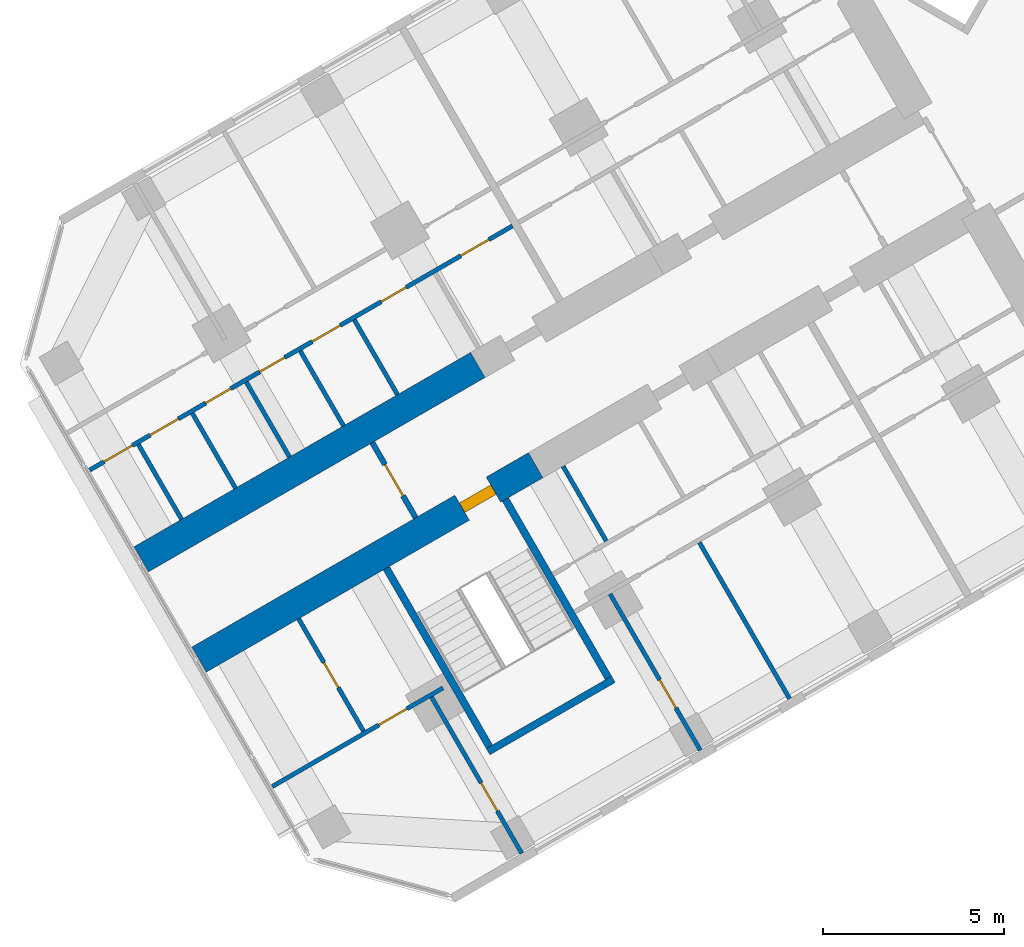
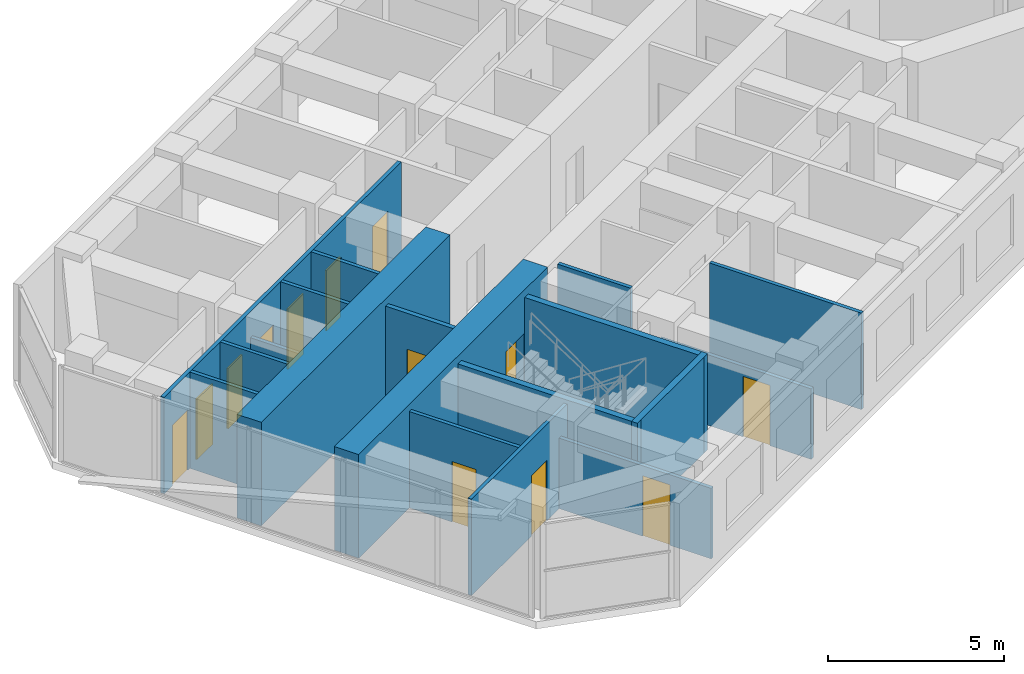
# One storey, part 10 of 20: 18 walls, 13 doors, 13 openings.
"""IFC4 building model written with IfcOpenShell, lengths in metres."""

from ifc_helpers import new_model, si_unit, direction, frame, frame_2d, origin, place, context, subcontext, project, spatial, rectangle, extrude, material, layer, layer_set, type_object, element, fill, save


model = new_model("IFC4")

# Units and contexts
model_context = context("Model", 3, precision=1e-05, world=origin(), true_north=direction((0.0, 1.0)))
body_context = subcontext(model_context, "Body", "Model", "MODEL_VIEW")
ifc_project = project(units=[si_unit("LENGTHUNIT", "METRE"), si_unit("AREAUNIT", "SQUARE_METRE"), si_unit("VOLUMEUNIT", "CUBIC_METRE"), si_unit("PLANEANGLEUNIT", "RADIAN"), si_unit("MASSUNIT", "GRAM", prefix="KILO")], contexts=[model_context])

# Site, building, storey
site_placement = place(None, origin())
site = spatial("IfcSite", under=ifc_project, at=site_placement, CompositionType="ELEMENT")
building_placement = place(site_placement, origin())
building = spatial("IfcBuilding", under=site, at=building_placement, Name="Kosmar Iwan School Tower", CompositionType="ELEMENT")
storey_placement = place(building_placement, frame((0.0, 0.0, 176.0)))
storey = spatial("IfcBuildingStorey", under=building, at=storey_placement, Name="L44", CompositionType="ELEMENT", Elevation=176.0)

# Wall, opening, door
ifc_material_1 = material(Name="Concrete C50/60", Category="concrete")
ifc_layer_1 = layer(ifc_material_1, 0.800048828125)
ifc_layer_set_1 = layer_set([ifc_layer_1], Name="Corridor buttress wall 800")
wall_type_1 = type_object("IfcWallType", Name="Corridor buttress wall 800", PredefinedType="SHEAR", material=ifc_layer_set_1)
wall_1_placement = place(storey_placement, frame((-19.681396484375, -13.210693359375, 0.0), z_axis=(0.0, 0.0, 1.0), x_axis=(-0.866028186671, -0.499995179869, 0.0)))
wall_1 = element("IfcWall", 1, at=wall_1_placement, inside=storey, type_object=wall_type_1, Name="Corridor wall BL bay 3", PredefinedType="SHEAR", context=body_context, shape_type="SweptSolid", body=[
    extrude(rectangle(XDim=10.7451171875, YDim=0.800048828125, at=frame_2d((5.37255859375, 0.0))), origin(), (0.0, 0.0, 1.0), 3.60009765625),
])
opening_1_placement = place(wall_1_placement, frame((1.35009765625, 0.0, 0.0)))
opening_1 = element("IfcOpeningElement", 2, at=opening_1_placement, cuts=wall_1, Name="Opening D6", PredefinedType="OPENING", context=body_context, shape_type="SweptSolid", body=[
    extrude(rectangle(XDim=1.0, YDim=2.10009765625, at=frame_2d((0.5, 1.050048828125))), frame((0.0, 0.412109375, 0.0), z_axis=(0.0, -1.0, 0.0), x_axis=(1.0, 0.0, 0.0)), (0.0, 0.0, 1.0), 0.823974609375),
])
ifc_material_2 = material(Name="Steel fire door", Category="steel")
door_type_1 = type_object("IfcDoorType", Name="Stair door 1000x2100", OperationType="SINGLE_SWING_LEFT", PredefinedType="DOOR", material=ifc_material_2)
door_1_placement = place(opening_1_placement, origin())
door_1 = element("IfcDoor", 3, at=door_1_placement, inside=storey, type_object=door_type_1, Name="Stair WS2 door L44", OperationType="SINGLE_SWING_LEFT", OverallHeight=2.10009765625, OverallWidth=1.0, PredefinedType="DOOR", context=body_context, shape_type="SweptSolid", body=[
    extrude(rectangle(XDim=1.0, YDim=2.10009765625, at=frame_2d((0.5, 1.050048828125))), frame((0.0, 0.14990234375, 0.0), z_axis=(0.0, -1.0, 0.0), x_axis=(1.0, 0.0, 0.0)), (0.0, 0.0, 1.0), 0.300048828125),
])
fill(opening_1, door_1)

# Wall
wall_2_placement = place(storey_placement, frame((-21.281494140625, -10.439453125, 0.0), z_axis=(0.0, 0.0, 1.0), x_axis=(-0.866032345022, -0.499987977232, 0.0)))
element("IfcWall", 4, at=wall_2_placement, inside=storey, type_object=wall_type_1, Name="Corridor wall BR bay 3", PredefinedType="SHEAR", context=body_context, shape_type="SweptSolid", body=[
    extrude(rectangle(XDim=10.744873046875, YDim=0.800048828125, at=frame_2d((5.37255859375, 0.0))), origin(), (0.0, 0.0, 1.0), 3.60009765625),
])

# Wall, opening, door
ifc_material_3 = material(Name="Gypsum board on steel studs, fire-rated", Category="steel")
ifc_layer_2 = layer(ifc_material_3, 0.14990234375)
ifc_layer_set_2 = layer_set([ifc_layer_2], Name="Corridor end wall 150")
wall_type_2 = type_object("IfcWallType", Name="Corridor end wall 150", PredefinedType="PARTITIONING", material=ifc_layer_set_2)
wall_3_placement = place(storey_placement, frame((-24.19921875, -12.585693359375, 0.0), z_axis=(0.0, 0.0, 1.0), x_axis=(0.499957262057, -0.866050077142, 0.0)))
wall_3 = element("IfcWall", 5, at=wall_3_placement, inside=storey, type_object=wall_type_2, Name="Partition L44-B-CE", PredefinedType="PARTITIONING", context=body_context, shape_type="SweptSolid", body=[
    extrude(rectangle(XDim=2.400146484375, YDim=0.14990234375, at=frame_2d((1.2001953125, 0.0))), origin(), (0.0, 0.0, 1.0), 3.35009765625),
])
opening_2_placement = place(wall_3_placement, frame((0.699951171875, 0.0, 0.0)))
opening_2 = element("IfcOpeningElement", 6, at=opening_2_placement, cuts=wall_3, Name="Opening D13", PredefinedType="OPENING", context=body_context, shape_type="SweptSolid", body=[
    extrude(rectangle(XDim=1.0, YDim=2.10009765625, at=frame_2d((0.5, 1.050048828125))), frame((0.0, 0.0869140625, 0.0), z_axis=(0.0, -1.0, 0.0), x_axis=(1.0, 0.0, 0.0)), (0.0, 0.0, 1.0), 0.173828125),
])
ifc_material_4 = material(Name="Timber fire door with vision panel", Category="wood")
door_type_2 = type_object("IfcDoorType", Name="Corridor end door 1000x2100", OperationType="SINGLE_SWING_LEFT", PredefinedType="DOOR", material=ifc_material_4)
door_2_placement = place(opening_2_placement, origin())
door_2 = element("IfcDoor", 7, at=door_2_placement, inside=storey, type_object=door_type_2, Name="Laundry and drying room door L44-B", OperationType="SINGLE_SWING_RIGHT", OverallHeight=2.10009765625, OverallWidth=1.0, PredefinedType="DOOR", context=body_context, shape_type="SweptSolid", body=[
    extrude(rectangle(XDim=1.0, YDim=2.10009765625, at=frame_2d((0.5, 1.050048828125))), frame((0.0, 0.02490234375, 0.0), z_axis=(0.0, -1.0, 0.0), x_axis=(1.0, 0.0, 0.0)), (0.0, 0.0, 1.0), 0.050048828125),
])
fill(opening_2, door_2)

# Walls
ifc_material_5 = material(Name="Gypsum board on steel studs", Category="steel")
ifc_layer_3 = layer(ifc_material_5, 0.1201171875)
ifc_layer_set_3 = layer_set([ifc_layer_3], Name="Dwelling partition 120")
wall_type_3 = type_object("IfcWallType", Name="Dwelling partition 120", PredefinedType="PARTITIONING", material=ifc_layer_set_3)
wall_4_placement = place(storey_placement, frame((-15.158447265625, -15.344970703125, 0.0), z_axis=(0.0, 0.0, 1.0), x_axis=(0.500011847778, -0.866018563358, 0.0)))
element("IfcWall", 8, at=wall_4_placement, inside=storey, type_object=wall_type_3, Name="Partition L44-BL2-X1", PredefinedType="PARTITIONING", context=body_context, shape_type="SweptSolid", body=[
    extrude(rectangle(XDim=4.990234375, YDim=0.1201171875, at=frame_2d((2.4951171875, 0.0))), origin(), (0.0, 0.0, 1.0), 3.35009765625),
])
wall_5_placement = place(storey_placement, frame((-18.92724609375, -13.237060546875, 0.0), z_axis=(0.0, 0.0, 1.0), x_axis=(0.500017192868, -0.86601547725, 0.0)))
element("IfcWall", 9, at=wall_5_placement, inside=storey, type_object=wall_type_3, Name="Partition L44-BL2-Y4", PredefinedType="PARTITIONING", context=body_context, shape_type="SweptSolid", body=[
    extrude(rectangle(XDim=2.39013671875, YDim=0.1201171875, at=frame_2d((1.195068359375, 0.0))), origin(), (0.0, 0.0, 1.0), 3.35009765625),
])

# Wall, opening, door
wall_6_placement = place(storey_placement, frame((-17.62646484375, -16.77001953125, 0.0), z_axis=(0.0, 0.0, 1.0), x_axis=(0.499975153383, -0.86603974851, 0.0)))
wall_6 = element("IfcWall", 10, at=wall_6_placement, inside=storey, type_object=wall_type_3, Name="Partition L44-BL2-TB", PredefinedType="PARTITIONING", context=body_context, shape_type="SweptSolid", body=[
    extrude(rectangle(XDim=4.989990234375, YDim=0.1201171875, at=frame_2d((2.4951171875, 0.0))), origin(), (0.0, 0.0, 1.0), 2.449951171875),
])
opening_3_placement = place(wall_6_placement, frame((2.739990234375, 0.0, 0.0)))
opening_3 = element("IfcOpeningElement", 11, at=opening_3_placement, cuts=wall_6, Name="Opening D2", PredefinedType="OPENING", context=body_context, shape_type="SweptSolid", body=[
    extrude(rectangle(XDim=0.89990234375, YDim=2.10009765625, at=frame_2d((0.449951171875, 1.050048828125))), frame((0.0, 0.072021484375, 0.0), z_axis=(0.0, -1.0, 0.0), x_axis=(1.0, 0.0, 0.0)), (0.0, 0.0, 1.0), 0.14404296875),
])
ifc_material_6 = material(Name="Timber door in timber frame", Category="wood")
door_type_3 = type_object("IfcDoorType", Name="Internal door 900x2100", OperationType="SINGLE_SWING_LEFT", PredefinedType="DOOR", material=ifc_material_6)
door_3_placement = place(opening_3_placement, origin())
door_3 = element("IfcDoor", 12, at=door_3_placement, inside=storey, type_object=door_type_3, Name="Study door L44-BL2-F2", OperationType="SINGLE_SWING_RIGHT", OverallHeight=2.10009765625, OverallWidth=0.89990234375, PredefinedType="DOOR", context=body_context, shape_type="SweptSolid", body=[
    extrude(rectangle(XDim=0.89990234375, YDim=2.10009765625, at=frame_2d((0.449951171875, 1.050048828125))), frame((0.0, 0.02490234375, 0.0), z_axis=(0.0, -1.0, 0.0), x_axis=(1.0, 0.0, 0.0)), (0.0, 0.0, 1.0), 0.050048828125),
])
fill(opening_3, door_3)

wall_7_placement = place(storey_placement, frame((-22.562744140625, -19.6201171875, 0.0), z_axis=(0.0, 0.0, 1.0), x_axis=(0.499996339024, -0.86602751744, 0.0)))
wall_7 = element("IfcWall", 13, at=wall_7_placement, inside=storey, type_object=wall_type_3, Name="Partition L44-BL2-TX", PredefinedType="PARTITIONING", context=body_context, shape_type="SweptSolid", body=[
    extrude(rectangle(XDim=4.98974609375, YDim=0.1201171875, at=frame_2d((2.494873046875, 0.0))), origin(), (0.0, 0.0, 1.0), 2.449951171875),
])
opening_4_placement = place(wall_7_placement, frame((2.739990234375, 0.0, 0.0)))
opening_4 = element("IfcOpeningElement", 14, at=opening_4_placement, cuts=wall_7, Name="Opening D2", PredefinedType="OPENING", context=body_context, shape_type="SweptSolid", body=[
    extrude(rectangle(XDim=0.89990234375, YDim=2.10009765625, at=frame_2d((0.449951171875, 1.050048828125))), frame((0.0, 0.072021484375, 0.0), z_axis=(0.0, -1.0, 0.0), x_axis=(1.0, 0.0, 0.0)), (0.0, 0.0, 1.0), 0.14404296875),
])
door_4_placement = place(opening_4_placement, origin())
door_4 = element("IfcDoor", 15, at=door_4_placement, inside=storey, type_object=door_type_3, Name="Study door L44-BL2-T1", OperationType="SINGLE_SWING_RIGHT", OverallHeight=2.10009765625, OverallWidth=0.89990234375, PredefinedType="DOOR", context=body_context, shape_type="SweptSolid", body=[
    extrude(rectangle(XDim=0.89990234375, YDim=2.10009765625, at=frame_2d((0.449951171875, 1.050048828125))), frame((0.0, 0.02490234375, 0.0), z_axis=(0.0, -1.0, 0.0), x_axis=(1.0, 0.0, 0.0)), (0.0, 0.0, 1.0), 0.050048828125),
])
fill(opening_4, door_4)

wall_8_placement = place(storey_placement, frame((-22.246337890625, -19.3681640625, 0.0), z_axis=(0.0, 0.0, 1.0), x_axis=(-0.866035508231, -0.499982498177, 0.0)))
wall_8 = element("IfcWall", 16, at=wall_8_placement, inside=storey, type_object=wall_type_3, Name="Partition L44-BL2-TW", PredefinedType="PARTITIONING", context=body_context, shape_type="SweptSolid", body=[
    extrude(rectangle(XDim=5.445068359375, YDim=0.1201171875, at=frame_2d((2.72265625, 0.0))), origin(), (0.0, 0.0, 1.0), 3.35009765625),
])
opening_5_placement = place(wall_8_placement, frame((1.14990234375, 0.0, 0.0)))
opening_5 = element("IfcOpeningElement", 17, at=opening_5_placement, cuts=wall_8, Name="Opening D2", PredefinedType="OPENING", context=body_context, shape_type="SweptSolid", body=[
    extrude(rectangle(XDim=0.89990234375, YDim=2.10009765625, at=frame_2d((0.449951171875, 1.050048828125))), frame((0.0, 0.072021484375, 0.0), z_axis=(0.0, -1.0, 0.0), x_axis=(1.0, 0.0, 0.0)), (0.0, 0.0, 1.0), 0.14404296875),
])
door_5_placement = place(opening_5_placement, origin())
door_5 = element("IfcDoor", 18, at=door_5_placement, inside=storey, type_object=door_type_3, Name="Dressing room door L44-BL2-T3", OperationType="SINGLE_SWING_LEFT", OverallHeight=2.10009765625, OverallWidth=0.89990234375, PredefinedType="DOOR", context=body_context, shape_type="SweptSolid", body=[
    extrude(rectangle(XDim=0.89990234375, YDim=2.10009765625, at=frame_2d((0.449951171875, 1.050048828125))), frame((0.0, 0.02490234375, 0.0), z_axis=(0.0, -1.0, 0.0), x_axis=(1.0, 0.0, 0.0)), (0.0, 0.0, 1.0), 0.050048828125),
])
fill(opening_5, door_5)

wall_9_placement = place(storey_placement, frame((-26.236572265625, -17.45703125, 0.0), z_axis=(0.0, 0.0, 1.0), x_axis=(0.50002266109, -0.866012320003, 0.0)))
wall_9 = element("IfcWall", 19, at=wall_9_placement, inside=storey, type_object=wall_type_3, Name="Partition L44-BL2-TY", PredefinedType="PARTITIONING", context=body_context, shape_type="SweptSolid", body=[
    extrude(rectangle(XDim=3.590087890625, YDim=0.1201171875, at=frame_2d((1.794921875, 0.0))), origin(), (0.0, 0.0, 1.0), 3.35009765625),
])
opening_6_placement = place(wall_9_placement, frame((1.39501953125, 0.0, 0.0)))
opening_6 = element("IfcOpeningElement", 20, at=opening_6_placement, cuts=wall_9, Name="Opening D3", PredefinedType="OPENING", context=body_context, shape_type="SweptSolid", body=[
    extrude(rectangle(XDim=0.800048828125, YDim=2.10009765625, at=frame_2d((0.39990234375, 1.050048828125))), frame((0.0, 0.072021484375, 0.0), z_axis=(0.0, -1.0, 0.0), x_axis=(1.0, 0.0, 0.0)), (0.0, 0.0, 1.0), 0.14404296875),
])
ifc_material_7 = material(Name="Timber door in timber frame", Category="wood")
door_type_4 = type_object("IfcDoorType", Name="Sanitary room door 800x2100", OperationType="SINGLE_SWING_LEFT", PredefinedType="DOOR", material=ifc_material_7)
door_6_placement = place(opening_6_placement, origin())
door_6 = element("IfcDoor", 21, at=door_6_placement, inside=storey, type_object=door_type_4, Name="Shower room door L44-BL2-T4", OperationType="SINGLE_SWING_LEFT", OverallHeight=2.10009765625, OverallWidth=0.800048828125, PredefinedType="DOOR", context=body_context, shape_type="SweptSolid", body=[
    extrude(rectangle(XDim=0.800048828125, YDim=2.10009765625, at=frame_2d((0.39990234375, 1.050048828125))), frame((0.0, 0.02490234375, 0.0), z_axis=(0.0, -1.0, 0.0), x_axis=(1.0, 0.0, 0.0)), (0.0, 0.0, 1.0), 0.050048828125),
])
fill(opening_6, door_6)

# Wall, openings, doors
wall_10_placement = place(storey_placement, frame((-20.324951171875, -6.59619140625, 0.0), z_axis=(0.0, 0.0, 1.0), x_axis=(-0.866023503214, -0.50000329187, 0.0)))
wall_10 = element("IfcWall", 22, at=wall_10_placement, inside=storey, type_object=wall_type_3, Name="Partition L44-BR2-W1", PredefinedType="PARTITIONING", context=body_context, shape_type="SweptSolid", body=[
    extrude(rectangle(XDim=13.4951171875, YDim=0.1201171875, at=frame_2d((6.74755859375, 0.0))), origin(), (0.0, 0.0, 1.0), 3.35009765625),
])
opening_7_placement = place(wall_10_placement, frame((0.75, 0.0, 0.0)))
opening_7 = element("IfcOpeningElement", 23, at=opening_7_placement, cuts=wall_10, Name="Opening D2", PredefinedType="OPENING", context=body_context, shape_type="SweptSolid", body=[
    extrude(rectangle(XDim=0.89990234375, YDim=2.10009765625, at=frame_2d((0.449951171875, 1.050048828125))), frame((0.0, 0.072021484375, 0.0), z_axis=(0.0, -1.0, 0.0), x_axis=(1.0, 0.0, 0.0)), (0.0, 0.0, 1.0), 0.14404296875),
])
opening_8_placement = place(wall_10_placement, frame((3.392333984375, 0.0, 0.0)))
opening_8 = element("IfcOpeningElement", 24, at=opening_8_placement, cuts=wall_10, Name="Opening D3", PredefinedType="OPENING", context=body_context, shape_type="SweptSolid", body=[
    extrude(rectangle(XDim=0.800048828125, YDim=2.10009765625, at=frame_2d((0.39990234375, 1.050048828125))), frame((0.0, 0.072021484375, 0.0), z_axis=(0.0, -1.0, 0.0), x_axis=(1.0, 0.0, 0.0)), (0.0, 0.0, 1.0), 0.14404296875),
])
opening_9_placement = place(wall_10_placement, frame((5.49609375, 0.0, 0.0)))
opening_9 = element("IfcOpeningElement", 25, at=opening_9_placement, cuts=wall_10, Name="Opening D2", PredefinedType="OPENING", context=body_context, shape_type="SweptSolid", body=[
    extrude(rectangle(XDim=0.89990234375, YDim=2.10009765625, at=frame_2d((0.449951171875, 1.050048828125))), frame((0.0, 0.072021484375, 0.0), z_axis=(0.0, -1.0, 0.0), x_axis=(1.0, 0.0, 0.0)), (0.0, 0.0, 1.0), 0.14404296875),
])
opening_10_placement = place(wall_10_placement, frame((7.269287109375, 0.0, 0.0)))
opening_10 = element("IfcOpeningElement", 26, at=opening_10_placement, cuts=wall_10, Name="Opening D3", PredefinedType="OPENING", context=body_context, shape_type="SweptSolid", body=[
    extrude(rectangle(XDim=0.800048828125, YDim=2.10009765625, at=frame_2d((0.39990234375, 1.050048828125))), frame((0.0, 0.072021484375, 0.0), z_axis=(0.0, -1.0, 0.0), x_axis=(1.0, 0.0, 0.0)), (0.0, 0.0, 1.0), 0.14404296875),
])
opening_11_placement = place(wall_10_placement, frame((8.992431640625, 0.0, 0.0)))
opening_11 = element("IfcOpeningElement", 27, at=opening_11_placement, cuts=wall_10, Name="Opening D3", PredefinedType="OPENING", context=body_context, shape_type="SweptSolid", body=[
    extrude(rectangle(XDim=0.800048828125, YDim=2.10009765625, at=frame_2d((0.39990234375, 1.050048828125))), frame((0.0, 0.072021484375, 0.0), z_axis=(0.0, -1.0, 0.0), x_axis=(1.0, 0.0, 0.0)), (0.0, 0.0, 1.0), 0.14404296875),
])
opening_12_placement = place(wall_10_placement, frame((10.665283203125, 0.0, 0.0)))
opening_12 = element("IfcOpeningElement", 28, at=opening_12_placement, cuts=wall_10, Name="Opening D2", PredefinedType="OPENING", context=body_context, shape_type="SweptSolid", body=[
    extrude(rectangle(XDim=0.89990234375, YDim=2.10009765625, at=frame_2d((0.449951171875, 1.050048828125))), frame((0.0, 0.072021484375, 0.0), z_axis=(0.0, -1.0, 0.0), x_axis=(1.0, 0.0, 0.0)), (0.0, 0.0, 1.0), 0.14404296875),
])
opening_13_placement = place(wall_10_placement, frame((12.136962890625, 0.0, 0.0)))
opening_13 = element("IfcOpeningElement", 29, at=opening_13_placement, cuts=wall_10, Name="Opening D2", PredefinedType="OPENING", context=body_context, shape_type="SweptSolid", body=[
    extrude(rectangle(XDim=0.89990234375, YDim=2.10009765625, at=frame_2d((0.449951171875, 1.050048828125))), frame((0.0, 0.072021484375, 0.0), z_axis=(0.0, -1.0, 0.0), x_axis=(1.0, 0.0, 0.0)), (0.0, 0.0, 1.0), 0.14404296875),
])
door_7_placement = place(opening_7_placement, origin())
door_7 = element("IfcDoor", 30, at=door_7_placement, inside=storey, type_object=door_type_3, Name="Entrance hall door L44-BR2-S1", OperationType="SINGLE_SWING_RIGHT", OverallHeight=2.10009765625, OverallWidth=0.89990234375, PredefinedType="DOOR", context=body_context, shape_type="SweptSolid", body=[
    extrude(rectangle(XDim=0.89990234375, YDim=2.10009765625, at=frame_2d((0.449951171875, 1.050048828125))), frame((0.0, 0.02490234375, 0.0), z_axis=(0.0, -1.0, 0.0), x_axis=(1.0, 0.0, 0.0)), (0.0, 0.0, 1.0), 0.050048828125),
])
fill(opening_7, door_7)
door_8_placement = place(opening_9_placement, origin())
door_8 = element("IfcDoor", 31, at=door_8_placement, inside=storey, type_object=door_type_3, Name="Pantry door L44-BR2-S3", OperationType="SINGLE_SWING_RIGHT", OverallHeight=2.10009765625, OverallWidth=0.89990234375, PredefinedType="DOOR", context=body_context, shape_type="SweptSolid", body=[
    extrude(rectangle(XDim=0.89990234375, YDim=2.10009765625, at=frame_2d((0.449951171875, 1.050048828125))), frame((0.0, 0.02490234375, 0.0), z_axis=(0.0, -1.0, 0.0), x_axis=(1.0, 0.0, 0.0)), (0.0, 0.0, 1.0), 0.050048828125),
])
fill(opening_9, door_8)
door_9_placement = place(opening_12_placement, origin())
door_9 = element("IfcDoor", 32, at=door_9_placement, inside=storey, type_object=door_type_3, Name="Utility room door L44-BR2-S6", OperationType="SINGLE_SWING_LEFT", OverallHeight=2.10009765625, OverallWidth=0.89990234375, PredefinedType="DOOR", context=body_context, shape_type="SweptSolid", body=[
    extrude(rectangle(XDim=0.89990234375, YDim=2.10009765625, at=frame_2d((0.449951171875, 1.050048828125))), frame((0.0, 0.02490234375, 0.0), z_axis=(0.0, -1.0, 0.0), x_axis=(1.0, 0.0, 0.0)), (0.0, 0.0, 1.0), 0.050048828125),
])
fill(opening_12, door_9)
door_10_placement = place(opening_13_placement, origin())
door_10 = element("IfcDoor", 33, at=door_10_placement, inside=storey, type_object=door_type_3, Name="Dressing room door L44-BR2-S7", OperationType="SINGLE_SWING_LEFT", OverallHeight=2.10009765625, OverallWidth=0.89990234375, PredefinedType="DOOR", context=body_context, shape_type="SweptSolid", body=[
    extrude(rectangle(XDim=0.89990234375, YDim=2.10009765625, at=frame_2d((0.449951171875, 1.050048828125))), frame((0.0, 0.02490234375, 0.0), z_axis=(0.0, -1.0, 0.0), x_axis=(1.0, 0.0, 0.0)), (0.0, 0.0, 1.0), 0.050048828125),
])
fill(opening_13, door_10)
door_11_placement = place(opening_8_placement, origin())
door_11 = element("IfcDoor", 34, at=door_11_placement, inside=storey, type_object=door_type_4, Name="Bathroom door L44-BR2-S2", OperationType="SINGLE_SWING_LEFT", OverallHeight=2.10009765625, OverallWidth=0.800048828125, PredefinedType="DOOR", context=body_context, shape_type="SweptSolid", body=[
    extrude(rectangle(XDim=0.800048828125, YDim=2.10009765625, at=frame_2d((0.39990234375, 1.050048828125))), frame((0.0, 0.02490234375, 0.0), z_axis=(0.0, -1.0, 0.0), x_axis=(1.0, 0.0, 0.0)), (0.0, 0.0, 1.0), 0.050048828125),
])
fill(opening_8, door_11)
door_12_placement = place(opening_10_placement, origin())
door_12 = element("IfcDoor", 35, at=door_12_placement, inside=storey, type_object=door_type_4, Name="WC door L44-BR2-S4", OperationType="SINGLE_SWING_LEFT", OverallHeight=2.10009765625, OverallWidth=0.800048828125, PredefinedType="DOOR", context=body_context, shape_type="SweptSolid", body=[
    extrude(rectangle(XDim=0.800048828125, YDim=2.10009765625, at=frame_2d((0.39990234375, 1.050048828125))), frame((0.0, 0.02490234375, 0.0), z_axis=(0.0, -1.0, 0.0), x_axis=(1.0, 0.0, 0.0)), (0.0, 0.0, 1.0), 0.050048828125),
])
fill(opening_10, door_12)
door_13_placement = place(opening_11_placement, origin())
door_13 = element("IfcDoor", 36, at=door_13_placement, inside=storey, type_object=door_type_4, Name="Store door L44-BR2-S5", OperationType="SINGLE_SWING_RIGHT", OverallHeight=2.10009765625, OverallWidth=0.800048828125, PredefinedType="DOOR", context=body_context, shape_type="SweptSolid", body=[
    extrude(rectangle(XDim=0.800048828125, YDim=2.10009765625, at=frame_2d((0.39990234375, 1.050048828125))), frame((0.0, 0.02490234375, 0.0), z_axis=(0.0, -1.0, 0.0), x_axis=(1.0, 0.0, 0.0)), (0.0, 0.0, 1.0), 0.050048828125),
])
fill(opening_11, door_13)

# Walls
wall_11_placement = place(storey_placement, frame((-23.50341796875, -11.26025390625, 0.0), z_axis=(0.0, 0.0, 1.0), x_axis=(-0.499940577336, 0.866059708757, 0.0)))
element("IfcWall", 37, at=wall_11_placement, inside=storey, type_object=wall_type_3, Name="Partition L44-BR2-Y2", PredefinedType="PARTITIONING", context=body_context, shape_type="SweptSolid", body=[
    extrude(rectangle(XDim=2.389892578125, YDim=0.1201171875, at=frame_2d((1.19482421875, 0.0))), origin(), (0.0, 0.0, 1.0), 3.35009765625),
])
wall_12_placement = place(storey_placement, frame((-24.99560546875, -12.121826171875, 0.0), z_axis=(0.0, 0.0, 1.0), x_axis=(-0.500017192868, 0.86601547725, 0.0)))
element("IfcWall", 38, at=wall_12_placement, inside=storey, type_object=wall_type_3, Name="Partition L44-BR2-Y3", PredefinedType="PARTITIONING", context=body_context, shape_type="SweptSolid", body=[
    extrude(rectangle(XDim=2.39013671875, YDim=0.1201171875, at=frame_2d((1.195068359375, 0.0))), origin(), (0.0, 0.0, 1.0), 3.35009765625),
])
wall_13_placement = place(storey_placement, frame((-26.48779296875, -12.9833984375, 0.0), z_axis=(0.0, 0.0, 1.0), x_axis=(-0.500017192868, 0.86601547725, 0.0)))
element("IfcWall", 39, at=wall_13_placement, inside=storey, type_object=wall_type_3, Name="Partition L44-BR2-Y4", PredefinedType="PARTITIONING", context=body_context, shape_type="SweptSolid", body=[
    extrude(rectangle(XDim=2.39013671875, YDim=0.1201171875, at=frame_2d((1.195068359375, 0.0))), origin(), (0.0, 0.0, 1.0), 2.449951171875),
])
wall_14_placement = place(storey_placement, frame((-27.97998046875, -13.844970703125, 0.0), z_axis=(0.0, 0.0, 1.0), x_axis=(-0.500017192868, 0.86601547725, 0.0)))
element("IfcWall", 40, at=wall_14_placement, inside=storey, type_object=wall_type_3, Name="Partition L44-BR2-Y5", PredefinedType="PARTITIONING", context=body_context, shape_type="SweptSolid", body=[
    extrude(rectangle(XDim=2.39013671875, YDim=0.1201171875, at=frame_2d((1.195068359375, 0.0))), origin(), (0.0, 0.0, 1.0), 3.35009765625),
])
wall_15_placement = place(storey_placement, frame((-29.47216796875, -14.706298828125, 0.0), z_axis=(0.0, 0.0, 1.0), x_axis=(-0.500061428766, 0.865989934965, 0.0)))
element("IfcWall", 41, at=wall_15_placement, inside=storey, type_object=wall_type_3, Name="Partition L44-BR2-Y6", PredefinedType="PARTITIONING", context=body_context, shape_type="SweptSolid", body=[
    extrude(rectangle(XDim=2.389892578125, YDim=0.1201171875, at=frame_2d((1.19482421875, 0.0))), origin(), (0.0, 0.0, 1.0), 3.35009765625),
])
ifc_material_8 = material(Name="Concrete C35/45", Category="concrete")
ifc_layer_4 = layer(ifc_material_8, 0.199951171875)
ifc_layer_set_4 = layer_set([ifc_layer_4], Name="Escape stair wall 200")
wall_type_4 = type_object("IfcWallType", Name="Escape stair wall 200", PredefinedType="SHEAR", material=ifc_layer_set_4)
wall_16_placement = place(storey_placement, frame((-20.520751953125, -14.156982421875, 0.0), z_axis=(0.0, 0.0, 1.0), x_axis=(0.499988710057, -0.866031921938, 0.0)))
element("IfcWall", 42, at=wall_16_placement, inside=storey, type_object=wall_type_4, Name="Stair WS2 wall", PredefinedType="SHEAR", context=body_context, shape_type="SweptSolid", body=[
    extrude(rectangle(XDim=5.900146484375, YDim=0.199951171875, at=frame_2d((2.9501953125, 0.0))), origin(), (0.0, 0.0, 1.0), 3.330078125),
])
wall_17_placement = place(storey_placement, frame((-23.8115234375, -16.05712890625, 0.0), z_axis=(0.0, 0.0, 1.0), x_axis=(0.500006628179, -0.86602157697, 0.0)))
element("IfcWall", 43, at=wall_17_placement, inside=storey, type_object=wall_type_4, Name="Stair WS2 wall", PredefinedType="SHEAR", context=body_context, shape_type="SweptSolid", body=[
    extrude(rectangle(XDim=5.89990234375, YDim=0.199951171875, at=frame_2d((2.949951171875, 0.0))), origin(), (0.0, 0.0, 1.0), 3.330078125),
])
wall_18_placement = place(storey_placement, frame((-17.5341796875, -19.1298828125, 0.0), z_axis=(0.0, 0.0, 1.0), x_axis=(-0.866026010844, -0.49999894854, 0.0)))
element("IfcWall", 44, at=wall_18_placement, inside=storey, type_object=wall_type_4, Name="Stair WS2 wall", PredefinedType="SHEAR", context=body_context, shape_type="SweptSolid", body=[
    extrude(rectangle(XDim=4.0, YDim=0.199951171875, at=frame_2d((2.0, 0.0))), origin(), (0.0, 0.0, 1.0), 3.330078125),
])

save(model, "model.ifc")
